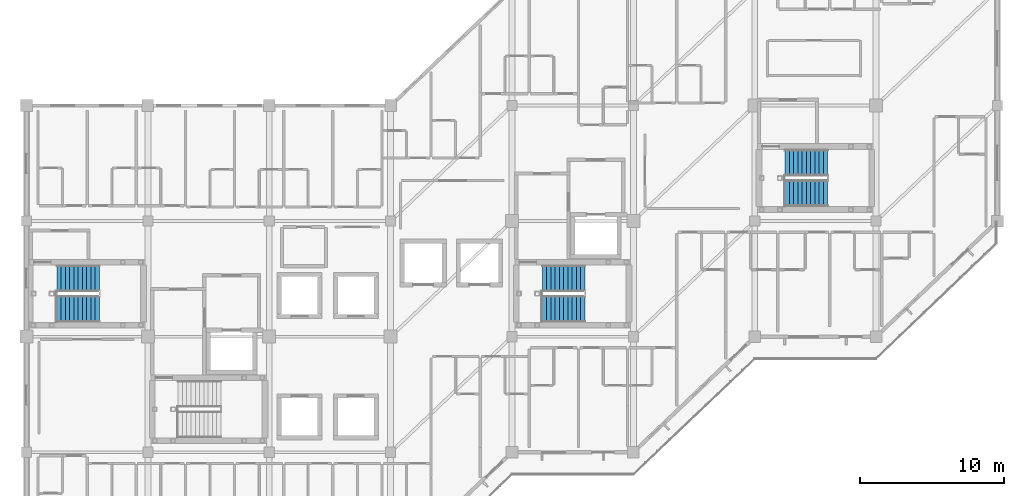
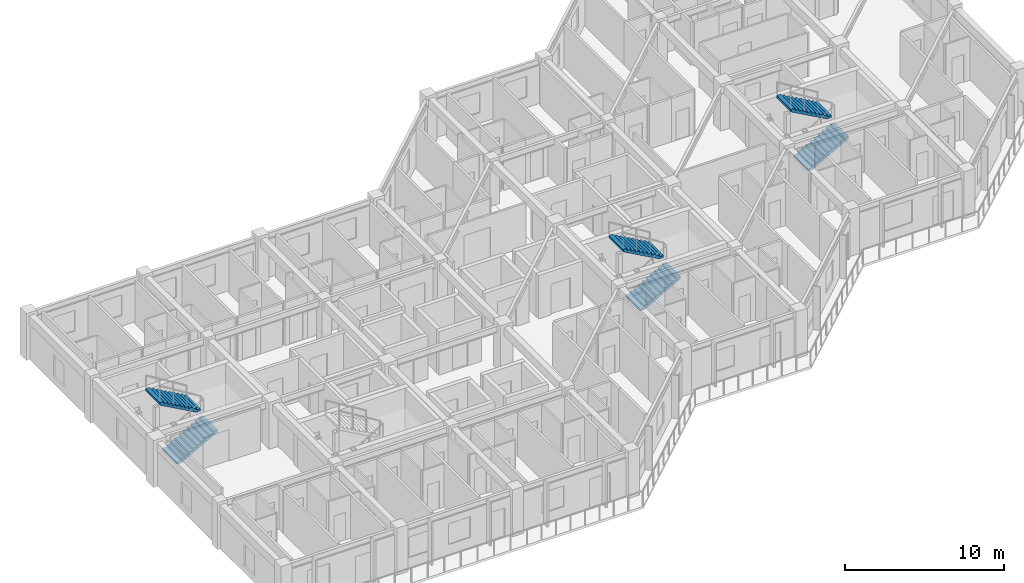
# One storey, part 15 of 17: 6 stair flights, 3 elements without a shape of their own.
"""IFC4 building model written with IfcOpenShell, lengths in metres."""

from ifc_helpers import new_model, si_unit, direction, frame, origin, place, context, subcontext, project, spatial, polyline, outline, extrude, material, type_object, element, aggregate, save


model = new_model("IFC4")

# Units and contexts
model_context = context("Model", 3, precision=1e-05, world=origin(), true_north=direction((0.0, 1.0)))
body_context = subcontext(model_context, "Body", "Model", "MODEL_VIEW")
ifc_project = project(units=[si_unit("LENGTHUNIT", "METRE"), si_unit("AREAUNIT", "SQUARE_METRE"), si_unit("VOLUMEUNIT", "CUBIC_METRE"), si_unit("PLANEANGLEUNIT", "RADIAN"), si_unit("MASSUNIT", "GRAM", prefix="KILO")], contexts=[model_context])

# Site, building, storey
site_placement = place(None, origin())
site = spatial("IfcSite", under=ifc_project, at=site_placement, CompositionType="ELEMENT")
building_placement = place(site_placement, origin())
building = spatial("IfcBuilding", under=site, at=building_placement, Name="Naruveol Harbour Congress Hotel", CompositionType="ELEMENT")
storey_placement = place(building_placement, frame((0.0, 0.0, 25.199951171875)))
storey = spatial("IfcBuildingStorey", under=building, at=storey_placement, Name="L05", CompositionType="ELEMENT", Elevation=25.199951171875)

# Stair, stair flights
ifc_material_1 = material(Name="Concrete C40/50", Category="concrete")
stair_type = type_object("IfcStairType", Name="RC DOG LEG ESCAPE STAIR 1800W H3600", PredefinedType="HALF_TURN_STAIR", material=ifc_material_1)
stair_1_placement = place(storey_placement, origin())
stair_1 = element("IfcStair", 1, at=stair_1_placement, inside=storey, type_object=stair_type, Name="Special Escape Stair ST2 L05 to L06", PredefinedType="HALF_TURN_STAIR")
ifc_material_2 = material(Name="Concrete C40/50", Category="concrete")
stair_flight_type = type_object("IfcStairFlightType", Name="RC STRAIGHT STAIR FLIGHT 1800W R11", PredefinedType="STRAIGHT", material=ifc_material_2)
stair_flight_1_placement = place(storey_placement, frame((153.300048828125, 17.919921875, 0.0), z_axis=(0.0, 0.0, 1.0), x_axis=(1.0, 0.0, 0.0)))
stair_flight_1 = element("IfcStairFlight", 2, at=stair_flight_1_placement, type_object=stair_flight_type, Name="ST2 L05 lower flight", NumberOfRisers=11, NumberOfTreads=10, PredefinedType="STRAIGHT", RiserHeight=0.163636, TreadLength=0.295, context=body_context, shape_type="SweptSolid", body=[
    extrude(outline(polyline([(0.0, 0.0), (0.0, 0.16357421875), (0.294921875, 0.16357421875), (0.294921875, 0.327392578125), (0.590087890625, 0.327392578125), (0.590087890625, 0.490966796875), (0.885009765625, 0.490966796875), (0.885009765625, 0.654541015625), (1.179931640625, 0.654541015625), (1.179931640625, 0.818115234375), (1.47509765625, 0.818115234375), (1.47509765625, 0.98193359375), (1.77001953125, 0.98193359375), (1.77001953125, 1.1455078125), (2.06494140625, 1.1455078125), (2.06494140625, 1.30908203125), (2.360107421875, 1.30908203125), (2.360107421875, 1.47265625), (2.655029296875, 1.47265625), (2.655029296875, 1.636474609375), (2.949951171875, 1.636474609375), (2.949951171875, 1.800048828125), (2.949951171875, 1.45361328125), (0.32958984375, 0.0), (0.0, 0.0)])), frame((0.0, 0.89990234375, 0.0), z_axis=(0.0, -1.0, 0.0), x_axis=(1.0, 0.0, 0.0)), (0.0, 0.0, 1.0), 1.800048828125),
])
stair_flight_2_placement = place(storey_placement, frame((156.25, 20.0400390625, 1.800048828125), z_axis=(0.0, 0.0, 1.0), x_axis=(-1.0, 0.0, 0.0)))
stair_flight_2 = element("IfcStairFlight", 3, at=stair_flight_2_placement, type_object=stair_flight_type, Name="ST2 L05 upper flight", NumberOfRisers=11, NumberOfTreads=10, PredefinedType="STRAIGHT", RiserHeight=0.163636, TreadLength=0.295, context=body_context, shape_type="SweptSolid", body=[
    extrude(outline(polyline([(0.0, 0.0), (0.0, 0.16357421875), (0.294921875, 0.16357421875), (0.294921875, 0.327392578125), (0.590087890625, 0.327392578125), (0.590087890625, 0.490966796875), (0.885009765625, 0.490966796875), (0.885009765625, 0.654541015625), (1.179931640625, 0.654541015625), (1.179931640625, 0.818115234375), (1.47509765625, 0.818115234375), (1.47509765625, 0.98193359375), (1.77001953125, 0.98193359375), (1.77001953125, 1.1455078125), (2.06494140625, 1.1455078125), (2.06494140625, 1.30908203125), (2.360107421875, 1.30908203125), (2.360107421875, 1.47265625), (2.655029296875, 1.47265625), (2.655029296875, 1.636474609375), (2.949951171875, 1.636474609375), (2.949951171875, 1.800048828125), (2.949951171875, 1.45361328125), (0.32958984375, 0.0), (0.0, 0.0)])), frame((0.0, 0.89990234375, 0.0), z_axis=(0.0, -1.0, 0.0), x_axis=(1.0, 0.0, 0.0)), (0.0, 0.0, 1.0), 1.800048828125),
])
aggregate(stair_1, [stair_flight_1, stair_flight_2])

stair_2_placement = place(storey_placement, origin())
stair_2 = element("IfcStair", 4, at=stair_2_placement, inside=storey, type_object=stair_type, Name="Special Escape Stair ST3 L05 to L06", PredefinedType="HALF_TURN_STAIR")
stair_flight_3_placement = place(storey_placement, frame((119.699951171875, 17.919921875, 0.0), z_axis=(0.0, 0.0, 1.0), x_axis=(1.0, 0.0, 0.0)))
stair_flight_3 = element("IfcStairFlight", 5, at=stair_flight_3_placement, type_object=stair_flight_type, Name="ST3 L05 lower flight", NumberOfRisers=11, NumberOfTreads=10, PredefinedType="STRAIGHT", RiserHeight=0.163636, TreadLength=0.295, context=body_context, shape_type="SweptSolid", body=[
    extrude(outline(polyline([(0.0, 0.0), (0.0, 0.16357421875), (0.294921875, 0.16357421875), (0.294921875, 0.327392578125), (0.590087890625, 0.327392578125), (0.590087890625, 0.490966796875), (0.885009765625, 0.490966796875), (0.885009765625, 0.654541015625), (1.179931640625, 0.654541015625), (1.179931640625, 0.818115234375), (1.47509765625, 0.818115234375), (1.47509765625, 0.98193359375), (1.77001953125, 0.98193359375), (1.77001953125, 1.1455078125), (2.06494140625, 1.1455078125), (2.06494140625, 1.30908203125), (2.360107421875, 1.30908203125), (2.360107421875, 1.47265625), (2.655029296875, 1.47265625), (2.655029296875, 1.636474609375), (2.949951171875, 1.636474609375), (2.949951171875, 1.800048828125), (2.949951171875, 1.45361328125), (0.32958984375, 0.0), (0.0, 0.0)])), frame((0.0, 0.89990234375, 0.0), z_axis=(0.0, -1.0, 0.0), x_axis=(1.0, 0.0, 0.0)), (0.0, 0.0, 1.0), 1.800048828125),
])
stair_flight_4_placement = place(storey_placement, frame((122.64990234375, 20.0400390625, 1.800048828125), z_axis=(0.0, 0.0, 1.0), x_axis=(-1.0, 0.0, 0.0)))
stair_flight_4 = element("IfcStairFlight", 6, at=stair_flight_4_placement, type_object=stair_flight_type, Name="ST3 L05 upper flight", NumberOfRisers=11, NumberOfTreads=10, PredefinedType="STRAIGHT", RiserHeight=0.163636, TreadLength=0.295, context=body_context, shape_type="SweptSolid", body=[
    extrude(outline(polyline([(0.0, 0.0), (0.0, 0.16357421875), (0.294921875, 0.16357421875), (0.294921875, 0.327392578125), (0.590087890625, 0.327392578125), (0.590087890625, 0.490966796875), (0.885009765625, 0.490966796875), (0.885009765625, 0.654541015625), (1.179931640625, 0.654541015625), (1.179931640625, 0.818115234375), (1.47509765625, 0.818115234375), (1.47509765625, 0.98193359375), (1.77001953125, 0.98193359375), (1.77001953125, 1.1455078125), (2.06494140625, 1.1455078125), (2.06494140625, 1.30908203125), (2.360107421875, 1.30908203125), (2.360107421875, 1.47265625), (2.655029296875, 1.47265625), (2.655029296875, 1.636474609375), (2.949951171875, 1.636474609375), (2.949951171875, 1.800048828125), (2.949951171875, 1.45361328125), (0.32958984375, 0.0), (0.0, 0.0)])), frame((0.0, 0.89990234375, 0.0), z_axis=(0.0, -1.0, 0.0), x_axis=(1.0, 0.0, 0.0)), (0.0, 0.0, 1.0), 1.800048828125),
])
aggregate(stair_2, [stair_flight_3, stair_flight_4])

stair_3_placement = place(storey_placement, origin())
stair_3 = element("IfcStair", 7, at=stair_3_placement, inside=storey, type_object=stair_type, Name="Special Escape Stair ST4 L05 to L06", PredefinedType="HALF_TURN_STAIR")
stair_flight_5_placement = place(storey_placement, frame((170.10009765625, 25.919921875, 0.0), z_axis=(0.0, 0.0, 1.0), x_axis=(1.0, 0.0, 0.0)))
stair_flight_5 = element("IfcStairFlight", 8, at=stair_flight_5_placement, type_object=stair_flight_type, Name="ST4 L05 lower flight", NumberOfRisers=11, NumberOfTreads=10, PredefinedType="STRAIGHT", RiserHeight=0.163636, TreadLength=0.295, context=body_context, shape_type="SweptSolid", body=[
    extrude(outline(polyline([(0.0, 0.0), (0.0, 0.16357421875), (0.294921875, 0.16357421875), (0.294921875, 0.327392578125), (0.590087890625, 0.327392578125), (0.590087890625, 0.490966796875), (0.885009765625, 0.490966796875), (0.885009765625, 0.654541015625), (1.179931640625, 0.654541015625), (1.179931640625, 0.818115234375), (1.47509765625, 0.818115234375), (1.47509765625, 0.98193359375), (1.77001953125, 0.98193359375), (1.77001953125, 1.1455078125), (2.06494140625, 1.1455078125), (2.06494140625, 1.30908203125), (2.360107421875, 1.30908203125), (2.360107421875, 1.47265625), (2.655029296875, 1.47265625), (2.655029296875, 1.636474609375), (2.949951171875, 1.636474609375), (2.949951171875, 1.800048828125), (2.949951171875, 1.45361328125), (0.32958984375, 0.0), (0.0, 0.0)])), frame((0.0, 0.89990234375, 0.0), z_axis=(0.0, -1.0, 0.0), x_axis=(1.0, 0.0, 0.0)), (0.0, 0.0, 1.0), 1.800048828125),
])
stair_flight_6_placement = place(storey_placement, frame((173.050048828125, 28.0400390625, 1.800048828125), z_axis=(0.0, 0.0, 1.0), x_axis=(-1.0, 0.0, 0.0)))
stair_flight_6 = element("IfcStairFlight", 9, at=stair_flight_6_placement, type_object=stair_flight_type, Name="ST4 L05 upper flight", NumberOfRisers=11, NumberOfTreads=10, PredefinedType="STRAIGHT", RiserHeight=0.163636, TreadLength=0.295, context=body_context, shape_type="SweptSolid", body=[
    extrude(outline(polyline([(0.0, 0.0), (0.0, 0.16357421875), (0.294921875, 0.16357421875), (0.294921875, 0.327392578125), (0.590087890625, 0.327392578125), (0.590087890625, 0.490966796875), (0.885009765625, 0.490966796875), (0.885009765625, 0.654541015625), (1.179931640625, 0.654541015625), (1.179931640625, 0.818115234375), (1.47509765625, 0.818115234375), (1.47509765625, 0.98193359375), (1.77001953125, 0.98193359375), (1.77001953125, 1.1455078125), (2.06494140625, 1.1455078125), (2.06494140625, 1.30908203125), (2.360107421875, 1.30908203125), (2.360107421875, 1.47265625), (2.655029296875, 1.47265625), (2.655029296875, 1.636474609375), (2.949951171875, 1.636474609375), (2.949951171875, 1.800048828125), (2.949951171875, 1.45361328125), (0.32958984375, 0.0), (0.0, 0.0)])), frame((0.0, 0.89990234375, 0.0), z_axis=(0.0, -1.0, 0.0), x_axis=(1.0, 0.0, 0.0)), (0.0, 0.0, 1.0), 1.800048828125),
])
aggregate(stair_3, [stair_flight_5, stair_flight_6])

save(model, "model.ifc")
